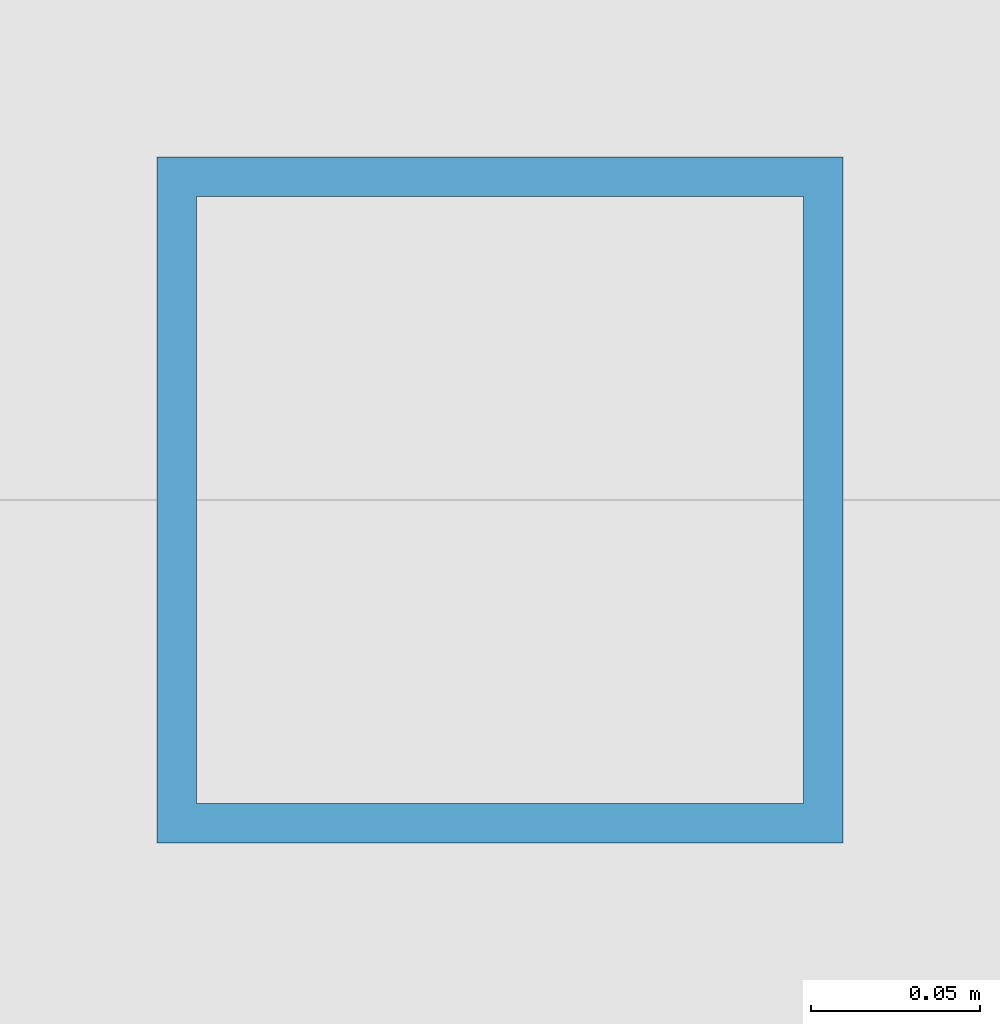
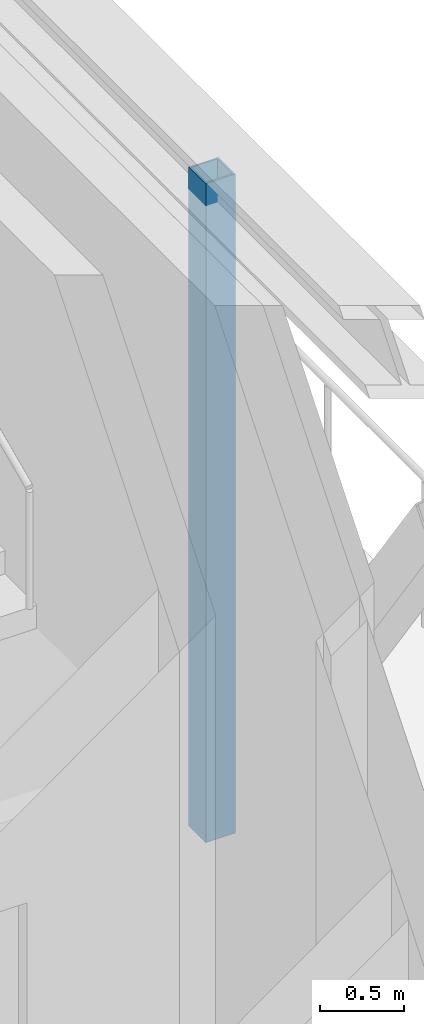
# One storey, part 16 of 31: 1 member.
"""IFC4 building model written with IfcOpenShell, lengths in metres."""

from ifc_helpers import new_model, si_unit, direction, frame, origin, origin_2d, place, context, subcontext, project, spatial, hollow_rectangle, extrude, material, material_profile, profile_set, type_object, element, save


model = new_model("IFC4")

# Units and contexts
model_context = context("Model", 3, precision=1e-05, world=origin(), true_north=direction((0.0, 1.0)))
body_context = subcontext(model_context, "Body", "Model", "MODEL_VIEW")
ifc_project = project(units=[si_unit("LENGTHUNIT", "METRE"), si_unit("AREAUNIT", "SQUARE_METRE"), si_unit("VOLUMEUNIT", "CUBIC_METRE"), si_unit("PLANEANGLEUNIT", "RADIAN"), si_unit("MASSUNIT", "GRAM", prefix="KILO")], contexts=[model_context])

# Site, building, storey
site_placement = place(None, origin())
site = spatial("IfcSite", under=ifc_project, at=site_placement, CompositionType="ELEMENT")
building_placement = place(site_placement, origin())
building = spatial("IfcBuilding", under=site, at=building_placement, Name="Bicima Exchange Tower", CompositionType="ELEMENT")
storey_placement = place(building_placement, frame((0.0, 0.0, 236.0)))
storey = spatial("IfcBuildingStorey", under=building, at=storey_placement, Name="L53", CompositionType="ELEMENT", Elevation=236.0)

# Member
ifc_material = material(Name="Steel ASTM A572 Gr 50", Category="steel")
ifc_material_profile = material_profile(ifc_material, hollow_rectangle(XDim=0.203125, YDim=0.203125, WallThickness=0.01171875, at=origin_2d()))
ifc_profile_set = profile_set([ifc_material_profile], Name="Steel ASTM A572 Gr 50")
member_type = type_object("IfcMemberType", Name="Belt truss post HSS8x8x1/2", PredefinedType="POST", material=ifc_profile_set)
member_placement = place(storey_placement, frame((33.60009765625, -9.199951171875, 0.227294921875), z_axis=(0.0, 0.0, 1.0), x_axis=(1.0, 0.0, 0.0)))
element("IfcMember", 1, at=member_placement, inside=storey, type_object=member_type, Name="Truss post", PredefinedType="POST", context=body_context, shape_type="SweptSolid", body=[
    extrude(hollow_rectangle(XDim=0.203125, YDim=0.203125, WallThickness=0.01171875, at=origin_2d()), origin(), (0.0, 0.0, 1.0), 4.79541015625),
])

save(model, "model.ifc")
